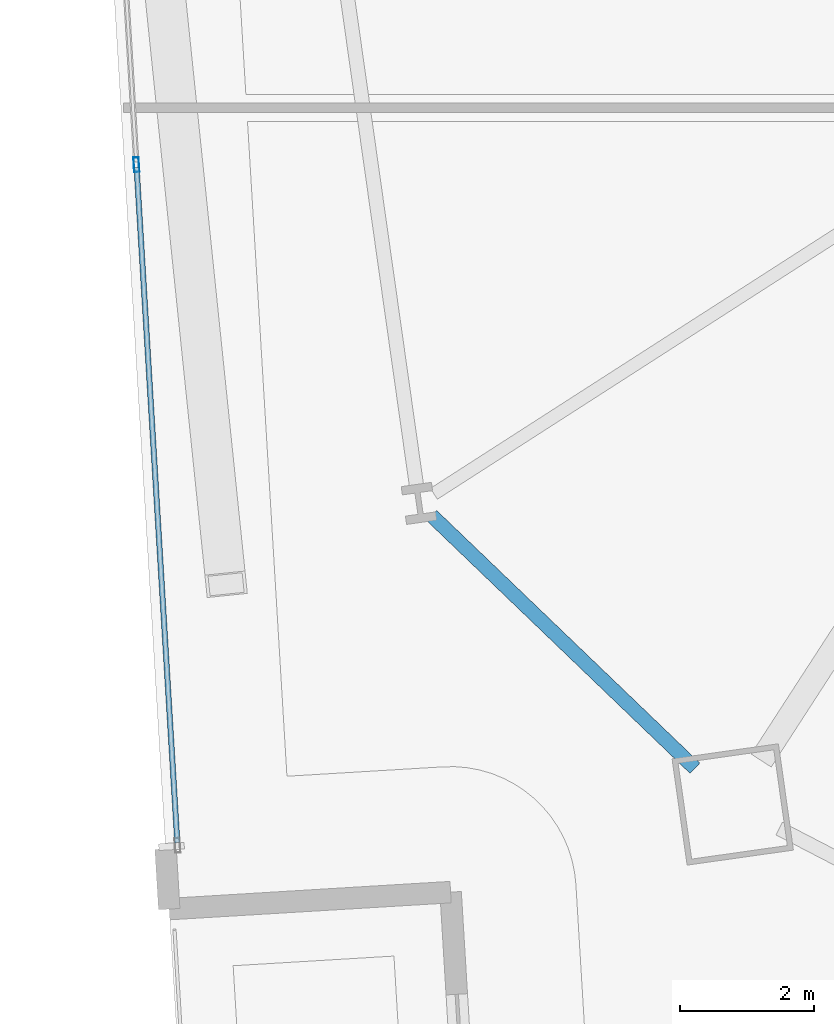
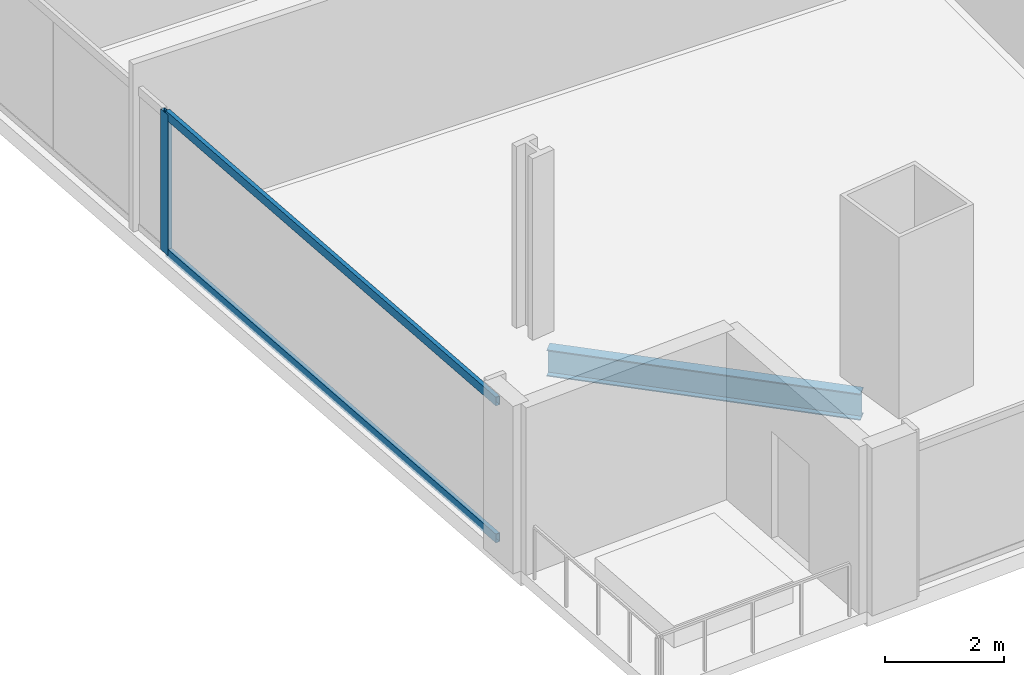
# One storey, part 3 of 34: 3 members, 1 beam, 1 element without a shape of its own.
"""IFC4 building model written with IfcOpenShell, lengths in metres."""

from ifc_helpers import new_model, si_unit, direction, frame, origin, origin_2d, place, context, subcontext, project, spatial, hollow_rectangle, i_section, extrude, material, material_profile, profile_set, type_object, element, aggregate, save


model = new_model("IFC4")

# Units and contexts
model_context = context("Model", 3, precision=1e-05, world=origin(), true_north=direction((0.0, 1.0)))
body_context = subcontext(model_context, "Body", "Model", "MODEL_VIEW")
ifc_project = project(units=[si_unit("LENGTHUNIT", "METRE"), si_unit("AREAUNIT", "SQUARE_METRE"), si_unit("VOLUMEUNIT", "CUBIC_METRE"), si_unit("PLANEANGLEUNIT", "RADIAN"), si_unit("MASSUNIT", "GRAM", prefix="KILO")], contexts=[model_context])

# Site, building, storey
site_placement = place(None, origin())
site = spatial("IfcSite", under=ifc_project, at=site_placement, CompositionType="ELEMENT")
building_placement = place(site_placement, origin())
building = spatial("IfcBuilding", under=site, at=building_placement, Name="Haldenkirk Collegiate Tower", CompositionType="ELEMENT")
storey_placement = place(building_placement, frame((0.0, 0.0, 40.199951171875)))
storey = spatial("IfcBuildingStorey", under=building, at=storey_placement, Name="L08", CompositionType="ELEMENT", Elevation=40.199951171875)

# Beam
ifc_material_1 = material(Name="Steel ASTM A992 Grade 50", Category="steel")
ifc_material_profile_1 = material_profile(ifc_material_1, i_section(OverallWidth=0.2119140625, OverallDepth=0.5439453125, WebThickness=0.01318359375, FlangeThickness=0.021240234375, at=origin_2d()), Name="W21X83")
ifc_profile_set_1 = profile_set([ifc_material_profile_1], Name="Steel ASTM A992 Grade 50")
beam_type = type_object("IfcBeamType", Name="BM-SPANDREL-W21X83", PredefinedType="SPANDREL", material=ifc_profile_set_1)
beam_placement = place(storey_placement, frame((14.212890625, 9.47412109375, -0.58203125), z_axis=(0.721492362326, -0.692422393561, 0.0), x_axis=(0.692422393561, 0.721492362326, 0.0)))
element("IfcBeam", 1, at=beam_placement, inside=storey, type_object=beam_type, Name="L08 perimeter spandrel beam 16", PredefinedType="SPANDREL", context=body_context, shape_type="SweptSolid", body=[
    extrude(i_section(OverallWidth=0.2119140625, OverallDepth=0.5439453125, WebThickness=0.01318359375, FlangeThickness=0.021240234375, at=origin_2d()), origin(), (0.0, 0.0, 1.0), 5.433837890625),
])

# Curtain wall, members
ifc_material_2 = material(Name="Anodised architectural bronze aluminium", Category="aluminium")
curtain_wall_type = type_object("IfcCurtainWallType", Name="CW-SYS1-CONVEX-LOW", PredefinedType="USERDEFINED", material=ifc_material_2)
curtain_wall_placement = place(storey_placement, origin())
curtain_wall = element("IfcCurtainWall", 2, at=curtain_wall_placement, inside=storey, type_object=curtain_wall_type, Name="L08 Lower tower convex bronze-framed unitised curtain wall", ObjectType="UNITISED CURTAIN WALL", PredefinedType="USERDEFINED")
ifc_material_profile_2 = material_profile(ifc_material_2, hollow_rectangle(XDim=0.080078125, YDim=0.219970703125, WallThickness=0.0048828125, at=origin_2d()), Name="CW-MUL-1A")
ifc_profile_set_2 = profile_set([ifc_material_profile_2], Name="Anodised architectural bronze aluminium")
member_type_1 = type_object("IfcMemberType", Name="CW-MUL-1A", PredefinedType="MULLION", material=ifc_profile_set_2)
member_1_placement = place(storey_placement, frame((9.812255859375, 14.70361328125, 0.0), z_axis=(0.0, 0.0, 1.0), x_axis=(-0.99818789594, -0.06017411735, 0.0)))
member_1 = element("IfcMember", 3, at=member_1_placement, type_object=member_type_1, Name="CW-1A mullion 2", PredefinedType="MULLION", context=body_context, shape_type="SweptSolid", body=[
    extrude(hollow_rectangle(XDim=0.080078125, YDim=0.219970703125, WallThickness=0.0048828125, at=origin_2d()), origin(), (0.0, 0.0, 1.0), 2.89111328125),
])
ifc_material_profile_3 = material_profile(ifc_material_2, hollow_rectangle(XDim=0.080078125, YDim=0.179931640625, WallThickness=0.0048828125, at=origin_2d()), Name="CW-TRN-1A")
ifc_profile_set_3 = profile_set([ifc_material_profile_3], Name="Anodised architectural bronze aluminium")
member_type_2 = type_object("IfcMemberType", Name="CW-TRN-1A", PredefinedType="USERDEFINED", material=ifc_profile_set_3)
member_2_placement = place(storey_placement, frame((10.42138671875, 4.60205078125, 0.0400390625), z_axis=(-0.060188652425, 0.998187019611, 0.0), x_axis=(-0.998187019611, -0.060188652425, 0.0)))
member_2 = element("IfcMember", 4, at=member_2_placement, type_object=member_type_2, Name="CW-1A transom 1.1", ObjectType="TRANSOM", PredefinedType="USERDEFINED", context=body_context, shape_type="SweptSolid", body=[
    extrude(hollow_rectangle(XDim=0.080078125, YDim=0.179931640625, WallThickness=0.0048828125, at=origin_2d()), origin(), (0.0, 0.0, 1.0), 10.079833984375),
])
member_3_placement = place(storey_placement, frame((10.42138671875, 4.60205078125, 2.85107421875), z_axis=(-0.060188652425, 0.998187019611, 0.0), x_axis=(-0.998187019611, -0.060188652425, 0.0)))
member_3 = element("IfcMember", 5, at=member_3_placement, type_object=member_type_2, Name="CW-1A transom 1.2", ObjectType="TRANSOM", PredefinedType="USERDEFINED", context=body_context, shape_type="SweptSolid", body=[
    extrude(hollow_rectangle(XDim=0.080078125, YDim=0.179931640625, WallThickness=0.0048828125, at=origin_2d()), origin(), (0.0, 0.0, 1.0), 10.079833984375),
])
aggregate(curtain_wall, [member_1, member_2, member_3])

save(model, "model.ifc")
